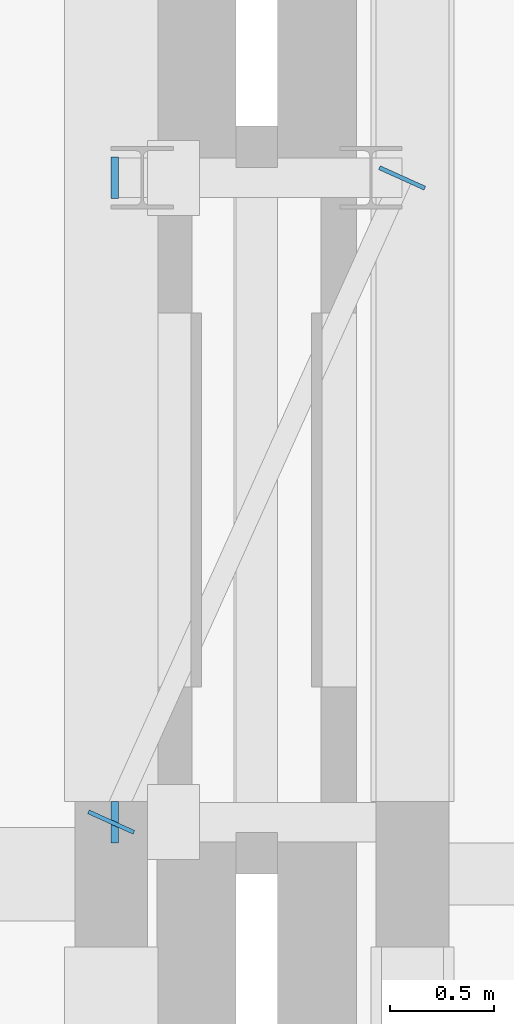
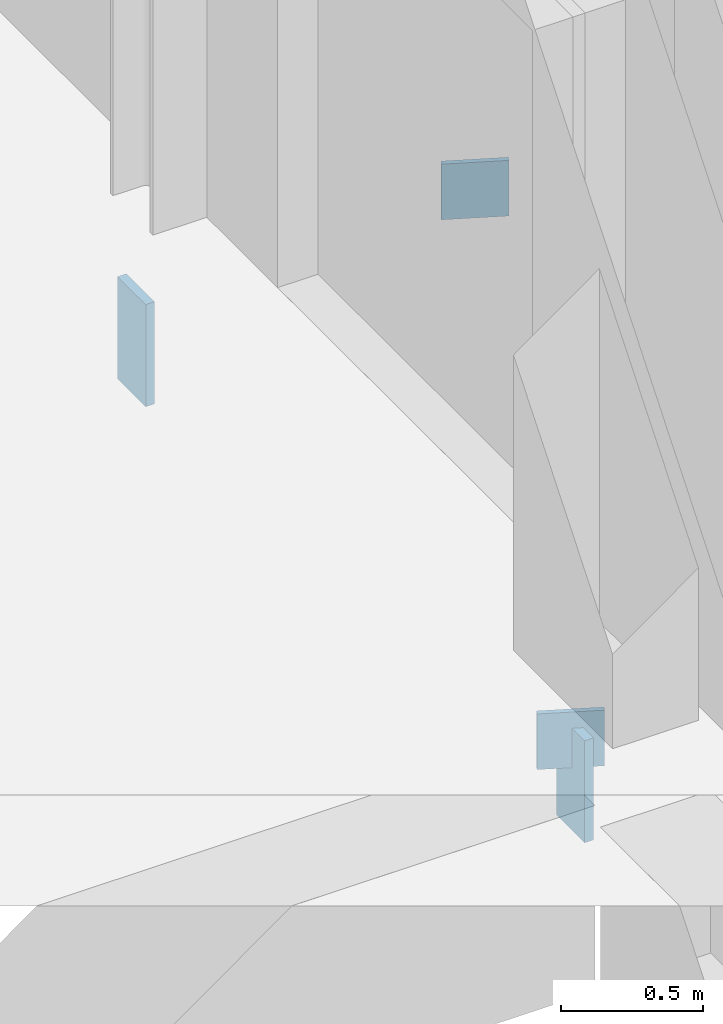
# One storey, part 36 of 73: 4 plates.
"""IFC4 building model written with IfcOpenShell, lengths in metres."""

from ifc_helpers import new_model, si_unit, direction, frame, origin, origin_2d, place, context, subcontext, project, spatial, rectangle, extrude, material, layer, layer_set, type_object, element, save


model = new_model("IFC4")

# Units and contexts
model_context = context("Model", 3, precision=1e-05, world=origin(), true_north=direction((0.0, 1.0)))
body_context = subcontext(model_context, "Body", "Model", "MODEL_VIEW")
ifc_project = project(units=[si_unit("LENGTHUNIT", "METRE"), si_unit("AREAUNIT", "SQUARE_METRE"), si_unit("VOLUMEUNIT", "CUBIC_METRE"), si_unit("PLANEANGLEUNIT", "RADIAN"), si_unit("MASSUNIT", "GRAM", prefix="KILO")], contexts=[model_context])

# Site, building, storey
site_placement = place(None, origin())
site = spatial("IfcSite", under=ifc_project, at=site_placement, CompositionType="ELEMENT")
building_placement = place(site_placement, origin())
building = spatial("IfcBuilding", under=site, at=building_placement, Name="Mzevani Central Library", CompositionType="ELEMENT")
storey_placement = place(building_placement, frame((0.0, 0.0, 9.60009765625)))
storey = spatial("IfcBuildingStorey", under=building, at=storey_placement, Name="L02", CompositionType="ELEMENT", Elevation=9.60009765625)

# Plates
ifc_material = material(Name="Steel S355J2", Category="steel")
ifc_layer_1 = layer(ifc_material, 0.02001953125, Name="Gridshell Hub Gusset Plate 20")
ifc_layer_set_1 = layer_set([ifc_layer_1], Name="Steel S355J2")
plate_type_1 = type_object("IfcPlateType", Name="Gridshell Hub Gusset Plate 20", PredefinedType="SHEET", material=ifc_layer_set_1)
for number, where, z_axis, x_axis, name in (
    (1, (45.300048828125, 100.25, -0.5), (0.0, 0.0, 1.0), (0.411585938782, 0.911370953562, 0.0), "L02 Stacks-Court Seismic Passage L02 Diaphragm Chord End Cap 1"),
    (2, (46.699951171875, 103.35009765625, -0.5), (0.0, 0.0, 1.0), (0.411585938782, 0.911370953562, 0.0), "L02 Stacks-Court Seismic Passage L02 Diaphragm Chord End Cap 2"),
):
    element("IfcPlate", number, at=place(storey_placement, frame(where, z_axis=z_axis, x_axis=x_axis)), inside=storey, type_object=plate_type_1, Name=name, PredefinedType="SHEET", context=body_context, shape_type="SweptSolid", body=[
        extrude(rectangle(XDim=0.02001953125, YDim=0.239990234375, at=origin_2d()), origin(), (0.0, 0.0, 1.0), 0.239990234375),
    ])
ifc_layer_2 = layer(ifc_material, 0.035888671875, Name="Truss Splice Flange Plate 36")
ifc_layer_set_2 = layer_set([ifc_layer_2], Name="Steel S355J2")
plate_type_2 = type_object("IfcPlateType", Name="Truss Splice Flange Plate 36", PredefinedType="USERDEFINED", material=ifc_layer_set_2)
for number, where, z_axis, x_axis, name in (
    (3, (45.318115234375, 100.25, -0.77001953125), (0.0, 0.0, 1.0), (1.0, 0.0, 0.0), "Stacks-Court Seismic Passage L02 Girder End Cap Plate 1"),
    (4, (45.318115234375, 103.35009765625, -0.77001953125), (0.0, 0.0, 1.0), (1.0, 0.0, 0.0), "Stacks-Court Seismic Passage L02 Girder End Cap Plate 2"),
):
    element("IfcPlate", number, at=place(storey_placement, frame(where, z_axis=z_axis, x_axis=x_axis)), inside=storey, type_object=plate_type_2, Name=name, ObjectType="SPLICE PLATE", PredefinedType="USERDEFINED", context=body_context, shape_type="SweptSolid", body=[
        extrude(rectangle(XDim=0.035888671875, YDim=0.199951171875, at=origin_2d()), origin(), (0.0, 0.0, 1.0), 0.43994140625),
    ])

save(model, "model.ifc")
